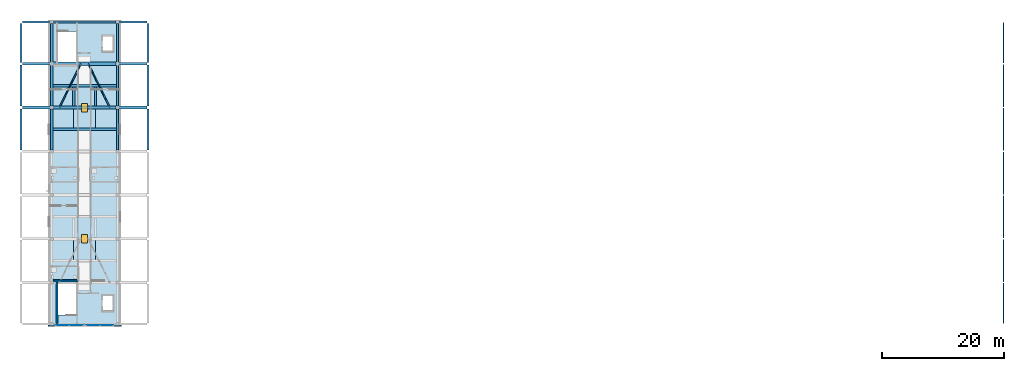
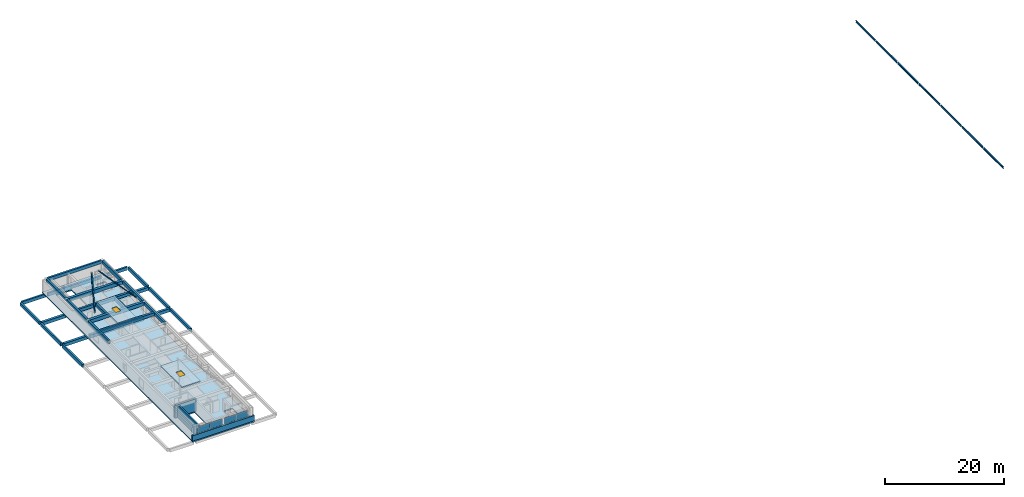
# One storey, part 3 of 9: 34 beams, 4 plates, 3 slabs, 3 walls, 2 doors, 2 members, 2 openings, 2 elements without a shape of their own.
"""IFC4 building model written with IfcOpenShell, lengths in metres."""

from ifc_helpers import new_model, si_unit, derived_unit, direction, frame, frame_2d, origin, origin_2d, place, context, subcontext, project, spatial, polyline, rectangle, hollow_rectangle, i_section, outline, extrude, material, layer, layer_set, material_profile, profile_set, type_object, element, fill, aggregate, save


model = new_model("IFC4")

# Units and contexts
model_context = context("Model", 3, precision=1e-05, world=origin(), true_north=direction((0.0, 1.0)))
body_context = subcontext(model_context, "Body", "Model", "MODEL_VIEW")
ifc_project = project(units=[si_unit("LENGTHUNIT", "METRE"), si_unit("AREAUNIT", "SQUARE_METRE"), si_unit("VOLUMEUNIT", "CUBIC_METRE"), si_unit("PLANEANGLEUNIT", "RADIAN"), si_unit("MASSUNIT", "GRAM", prefix="KILO"), derived_unit("THERMALTRANSMITTANCEUNIT", [(si_unit("MASSUNIT", "GRAM", prefix="KILO"), 1), (si_unit("TIMEUNIT", "SECOND"), -3), (si_unit("THERMODYNAMICTEMPERATUREUNIT", "KELVIN"), -1)])], contexts=[model_context])

# Site, building, storey
site_placement = place(None, origin())
site = spatial("IfcSite", under=ifc_project, at=site_placement, CompositionType="ELEMENT")
building_placement = place(site_placement, origin())
building = spatial("IfcBuilding", under=site, at=building_placement, Name="Ochrekiln Boulevard Commons", CompositionType="ELEMENT")
storey_placement = place(building_placement, frame((0.0, 0.0, 46.72509765625)))
storey = spatial("IfcBuildingStorey", under=building, at=storey_placement, Name="L14", CompositionType="ELEMENT", Elevation=46.72509765625)

# Beams
ifc_material_1 = material(Name="Concrete C35/45", Category="concrete")
ifc_material_profile_1 = material_profile(ifc_material_1, rectangle(XDim=0.39990234375, YDim=0.60009765625, at=origin_2d()), Name="RC-BM-400x600")
ifc_profile_set_1 = profile_set([ifc_material_profile_1], Name="Concrete C35/45")
beam_type_1 = type_object("IfcBeamType", Name="BM-RC-400x600", PredefinedType="BEAM", material=ifc_profile_set_1)
for number, where, z_axis, x_axis, name in (
    (1, (5.574951171875, 100.800048828125, 2.5498046875), (1.0, 0.0, 0.0), (0.0, 1.0, 0.0), "Block A L14 Attic Platform Transverse Beam B-4060 (2.1)"),
    (2, (5.574951171875, 108.0, 2.5498046875), (1.0, 0.0, 0.0), (0.0, 1.0, 0.0), "Block A L14 Attic Platform Transverse Beam B-4060 (2.2)"),
):
    element("IfcBeam", number, at=place(storey_placement, frame(where, z_axis=z_axis, x_axis=x_axis)), inside=storey, type_object=beam_type_1, Name=name, PredefinedType="BEAM", context=body_context, shape_type="SweptSolid", body=[
        extrude(rectangle(XDim=0.39990234375, YDim=0.60009765625, at=origin_2d()), origin(), (0.0, 0.0, 1.0), 10.449951171875),
    ])
for number, where, z_axis, x_axis, name in (
    (3, (9.0, 104.64990234375, 2.5498046875), (0.0, 1.0, 0.0), (-1.0, 0.0, 0.0), "Block A L14 Attic Platform Trimmer Beam B-4060 (2.W)"),
    (4, (12.60009765625, 104.64990234375, 2.5498046875), (0.0, 1.0, 0.0), (-1.0, 0.0, 0.0), "Block A L14 Attic Platform Trimmer Beam B-4060 (2.E)"),
):
    element("IfcBeam", number, at=place(storey_placement, frame(where, z_axis=z_axis, x_axis=x_axis)), inside=storey, type_object=beam_type_1, Name=name, PredefinedType="BEAM", context=body_context, shape_type="SweptSolid", body=[
        extrude(rectangle(XDim=0.39990234375, YDim=0.60009765625, at=origin_2d()), origin(), (0.0, 0.0, 1.0), 3.150146484375),
    ])
ifc_material_profile_2 = material_profile(ifc_material_1, rectangle(XDim=0.449951171875, YDim=0.64990234375, at=origin_2d()), Name="RC-BM-450x650")
ifc_profile_set_2 = profile_set([ifc_material_profile_2], Name="Concrete C35/45")
beam_type_2 = type_object("IfcBeamType", Name="BM-RC-450x650", PredefinedType="BEAM", material=ifc_profile_set_2)
beam_1_placement = place(storey_placement, frame((0.56005859375, 104.39990234375, -0.5751953125), z_axis=(1.0, 0.0, 0.0), x_axis=(0.0, 1.0, 0.0)))
element("IfcBeam", 5, at=beam_1_placement, inside=storey, type_object=beam_type_2, Name="Block A L14 Beam B-4565 X15", PredefinedType="BEAM", context=body_context, shape_type="SweptSolid", body=[
    extrude(rectangle(XDim=0.449951171875, YDim=0.64990234375, at=origin_2d()), origin(), (0.0, 0.0, 1.0), 4.6298828125),
])
beam_2_placement = place(storey_placement, frame((16.409912109375, 104.39990234375, -0.5751953125), z_axis=(1.0, 0.0, 0.0), x_axis=(0.0, 1.0, 0.0)))
element("IfcBeam", 6, at=beam_2_placement, inside=storey, type_object=beam_type_2, Name="Block A L14 Beam B-4565 X17", PredefinedType="BEAM", context=body_context, shape_type="SweptSolid", body=[
    extrude(rectangle(XDim=0.449951171875, YDim=0.64990234375, at=origin_2d()), origin(), (0.0, 0.0, 1.0), 4.630126953125),
])
beam_3_placement = place(storey_placement, frame((0.56005859375, 111.60009765625, -0.5751953125), z_axis=(1.0, 0.0, 0.0), x_axis=(0.0, 1.0, 0.0)))
element("IfcBeam", 7, at=beam_3_placement, inside=storey, type_object=beam_type_2, Name="Block A L14 Beam B-4565 X18", PredefinedType="BEAM", context=body_context, shape_type="SweptSolid", body=[
    extrude(rectangle(XDim=0.449951171875, YDim=0.64990234375, at=origin_2d()), origin(), (0.0, 0.0, 1.0), 4.6298828125),
])
beam_4_placement = place(storey_placement, frame((16.409912109375, 111.60009765625, -0.5751953125), z_axis=(1.0, 0.0, 0.0), x_axis=(0.0, 1.0, 0.0)))
element("IfcBeam", 8, at=beam_4_placement, inside=storey, type_object=beam_type_2, Name="Block A L14 Beam B-4565 X19", PredefinedType="BEAM", context=body_context, shape_type="SweptSolid", body=[
    extrude(rectangle(XDim=0.449951171875, YDim=0.64990234375, at=origin_2d()), origin(), (0.0, 0.0, 1.0), 4.630126953125),
])
ifc_material_2 = material(Name="Concrete C40/50", Category="concrete")
ifc_material_profile_3 = material_profile(ifc_material_2, rectangle(XDim=0.5, YDim=0.699951171875, at=origin_2d()), Name="RC-BM-500x700")
ifc_profile_set_3 = profile_set([ifc_material_profile_3], Name="Concrete C40/50")
beam_type_3 = type_object("IfcBeamType", Name="BM-RC-500x700", PredefinedType="BEAM", material=ifc_profile_set_3)
for number, where, z_axis, x_axis, name in (
    (9, (5.610107421875, 104.39990234375, -0.60009765625), (1.0, 0.0, 0.0), (0.0, 1.0, 0.0), "Block A L14 Beam B-5070 X16"),
    (10, (5.610107421875, 104.39990234375, 2.5), (1.0, 0.0, 0.0), (0.0, 1.0, 0.0), "Block A L14 Beam B-5070 X6"),
    (11, (5.610107421875, 111.60009765625, 2.5), (1.0, 0.0, 0.0), (0.0, 1.0, 0.0), "Block A L14 Beam B-5070 X7"),
):
    element("IfcBeam", number, at=place(storey_placement, frame(where, z_axis=z_axis, x_axis=x_axis)), inside=storey, type_object=beam_type_3, Name=name, PredefinedType="BEAM", context=body_context, shape_type="SweptSolid", body=[
        extrude(rectangle(XDim=0.5, YDim=0.699951171875, at=origin_2d()), origin(), (0.0, 0.0, 1.0), 10.3798828125),
    ])
ifc_material_3 = material(Name="Steel A992 Grade 50", Category="steel")
ifc_material_profile_4 = material_profile(ifc_material_3, i_section(OverallWidth=0.177978515625, OverallDepth=0.403076171875, WebThickness=0.007568359375, FlangeThickness=0.010986328125, at=origin_2d()), Name="W16X36")
ifc_profile_set_4 = profile_set([ifc_material_profile_4], Name="Steel A992 Grade 50")
beam_type_4 = type_object("IfcBeamType", Name="BM-STL-W16X36", PredefinedType="BEAM", material=ifc_profile_set_4)
beam_5_placement = place(storey_placement, frame((162.0, 68.840087890625, 0.63427734375), z_axis=(0.0, 1.0, 0.0), x_axis=(-1.0, 0.0, 0.0)))
element("IfcBeam", 12, at=beam_5_placement, inside=storey, type_object=beam_type_4, Name="Block B Gable Ridge Beam 1", PredefinedType="BEAM", context=body_context, shape_type="SweptSolid", body=[
    extrude(i_section(OverallWidth=0.177978515625, OverallDepth=0.403076171875, WebThickness=0.007568359375, FlangeThickness=0.010986328125, at=origin_2d()), origin(), (0.0, 0.0, 1.0), 6.669921875),
])
for number, where, z_axis, x_axis, name in (
    (13, (162.0, 75.68994140625, 0.63427734375), (0.0, 1.0, 0.0), (-1.0, 0.0, 0.0), "Block B Gable Ridge Beam 2"),
    (14, (162.0, 82.889892578125, 0.63427734375), (0.0, 1.0, 0.0), (-1.0, 0.0, 0.0), "Block B Gable Ridge Beam 3"),
    (15, (162.0, 90.090087890625, 0.63427734375), (0.0, 1.0, 0.0), (-1.0, 0.0, 0.0), "Block B Gable Ridge Beam 4"),
    (16, (162.0, 97.2900390625, 0.63427734375), (0.0, 1.0, 0.0), (-1.0, 0.0, 0.0), "Block B Gable Ridge Beam 5"),
    (17, (162.0, 104.489990234375, 0.63427734375), (0.0, 1.0, 0.0), (-1.0, 0.0, 0.0), "Block B Gable Ridge Beam 6"),
):
    element("IfcBeam", number, at=place(storey_placement, frame(where, z_axis=z_axis, x_axis=x_axis)), inside=storey, type_object=beam_type_4, Name=name, PredefinedType="BEAM", context=body_context, shape_type="SweptSolid", body=[
        extrude(i_section(OverallWidth=0.177978515625, OverallDepth=0.403076171875, WebThickness=0.007568359375, FlangeThickness=0.010986328125, at=origin_2d()), origin(), (0.0, 0.0, 1.0), 7.02001953125),
    ])
beam_6_placement = place(storey_placement, frame((162.0, 111.68994140625, 0.63427734375), z_axis=(0.0, 1.0, 0.0), x_axis=(-1.0, 0.0, 0.0)))
element("IfcBeam", 18, at=beam_6_placement, inside=storey, type_object=beam_type_4, Name="Block B Gable Ridge Beam 7", PredefinedType="BEAM", context=body_context, shape_type="SweptSolid", body=[
    extrude(i_section(OverallWidth=0.177978515625, OverallDepth=0.403076171875, WebThickness=0.007568359375, FlangeThickness=0.010986328125, at=origin_2d()), origin(), (0.0, 0.0, 1.0), 6.670166015625),
])

# Members
ifc_material_4 = material(Name="Steel A500 Grade C", Category="steel")
ifc_material_profile_5 = material_profile(ifc_material_4, hollow_rectangle(XDim=0.14990234375, YDim=0.14990234375, WallThickness=0.009521484375, at=origin_2d()), Name="HSS150X150X9.5")
ifc_profile_set_5 = profile_set([ifc_material_profile_5], Name="Steel A500 Grade C")
member_type = type_object("IfcMemberType", Name="MEM-BRC-HSS150", PredefinedType="BRACE", material=ifc_profile_set_5)
for number, where, z_axis, x_axis, name in (
    (19, (6.696044921875, 104.489990234375, 3.856201171875), (0.41928190663, 0.85165526584, 0.314461429972), (-0.897168393426, 0.441688661659, 0.0), "Block A Roof Diagonal Brace 6W"),
    (20, (14.904052734375, 104.489990234375, 3.856201171875), (-0.41928190663, 0.85165526584, 0.314461429972), (-0.897168393426, -0.441688661659, 0.0), "Block A Roof Diagonal Brace 6E"),
):
    element("IfcMember", number, at=place(storey_placement, frame(where, z_axis=z_axis, x_axis=x_axis)), inside=storey, type_object=member_type, Name=name, PredefinedType="BRACE", context=body_context, shape_type="SweptSolid", body=[
        extrude(hollow_rectangle(XDim=0.14990234375, YDim=0.14990234375, WallThickness=0.009521484375, at=origin_2d()), origin(), (0.0, 0.0, 1.0), 8.24267578125),
    ])

# Beams
ifc_material_profile_6 = material_profile(ifc_material_2, rectangle(XDim=0.35009765625, YDim=0.64990234375, at=origin_2d()), Name="RC-SPN-350x650")
ifc_profile_set_6 = profile_set([ifc_material_profile_6], Name="Concrete C40/50")
beam_type_5 = type_object("IfcBeamType", Name="SPN-RC-350x650", PredefinedType="SPANDREL", material=ifc_profile_set_6)
beam_7_placement = place(storey_placement, frame((0.56005859375, 118.449951171875, -0.5751953125), z_axis=(1.0, 0.0, 0.0), x_axis=(0.0, 1.0, 0.0)))
element("IfcBeam", 21, at=beam_7_placement, inside=storey, type_object=beam_type_5, Name="Block A L14 Beam SP-3565 X20", PredefinedType="SPANDREL", context=body_context, shape_type="SweptSolid", body=[
    extrude(rectangle(XDim=0.35009765625, YDim=0.64990234375, at=origin_2d()), origin(), (0.0, 0.0, 1.0), 4.6298828125),
])
beam_8_placement = place(storey_placement, frame((5.610107421875, 118.449951171875, -0.5751953125), z_axis=(1.0, 0.0, 0.0), x_axis=(0.0, 1.0, 0.0)))
element("IfcBeam", 22, at=beam_8_placement, inside=storey, type_object=beam_type_5, Name="Block A L14 Beam SP-3565 X21", PredefinedType="SPANDREL", context=body_context, shape_type="SweptSolid", body=[
    extrude(rectangle(XDim=0.35009765625, YDim=0.64990234375, at=origin_2d()), origin(), (0.0, 0.0, 1.0), 10.3798828125),
])
beam_9_placement = place(storey_placement, frame((16.409912109375, 118.449951171875, -0.5751953125), z_axis=(1.0, 0.0, 0.0), x_axis=(0.0, 1.0, 0.0)))
element("IfcBeam", 23, at=beam_9_placement, inside=storey, type_object=beam_type_5, Name="Block A L14 Beam SP-3565 X22", PredefinedType="SPANDREL", context=body_context, shape_type="SweptSolid", body=[
    extrude(rectangle(XDim=0.35009765625, YDim=0.64990234375, at=origin_2d()), origin(), (0.0, 0.0, 1.0), 4.630126953125),
])
beam_10_placement = place(storey_placement, frame((0.35009765625, 97.409912109375, -0.5751953125), z_axis=(0.0, 1.0, 0.0), x_axis=(-1.0, 0.0, 0.0)))
element("IfcBeam", 24, at=beam_10_placement, inside=storey, type_object=beam_type_5, Name="Block A L14 Beam SP-3565 Y27", PredefinedType="SPANDREL", context=body_context, shape_type="SweptSolid", body=[
    extrude(rectangle(XDim=0.35009765625, YDim=0.64990234375, at=origin_2d()), origin(), (0.0, 0.0, 1.0), 6.780029296875),
])
beam_11_placement = place(storey_placement, frame((0.35009765625, 104.610107421875, -0.5751953125), z_axis=(0.0, 1.0, 0.0), x_axis=(-1.0, 0.0, 0.0)))
element("IfcBeam", 25, at=beam_11_placement, inside=storey, type_object=beam_type_5, Name="Block A L14 Beam SP-3565 Y28", PredefinedType="SPANDREL", context=body_context, shape_type="SweptSolid", body=[
    extrude(rectangle(XDim=0.35009765625, YDim=0.64990234375, at=origin_2d()), origin(), (0.0, 0.0, 1.0), 6.77978515625),
])
beam_12_placement = place(storey_placement, frame((0.35009765625, 111.81005859375, -0.5751953125), z_axis=(0.0, 1.0, 0.0), x_axis=(-1.0, 0.0, 0.0)))
element("IfcBeam", 26, at=beam_12_placement, inside=storey, type_object=beam_type_5, Name="Block A L14 Beam SP-3565 Y29", PredefinedType="SPANDREL", context=body_context, shape_type="SweptSolid", body=[
    extrude(rectangle(XDim=0.35009765625, YDim=0.64990234375, at=origin_2d()), origin(), (0.0, 0.0, 1.0), 6.429931640625),
])
beam_13_placement = place(storey_placement, frame((21.25, 97.409912109375, -0.5751953125), z_axis=(0.0, 1.0, 0.0), x_axis=(-1.0, 0.0, 0.0)))
element("IfcBeam", 27, at=beam_13_placement, inside=storey, type_object=beam_type_5, Name="Block A L14 Beam SP-3565 Y34", PredefinedType="SPANDREL", context=body_context, shape_type="SweptSolid", body=[
    extrude(rectangle(XDim=0.35009765625, YDim=0.64990234375, at=origin_2d()), origin(), (0.0, 0.0, 1.0), 6.780029296875),
])
beam_14_placement = place(storey_placement, frame((21.25, 104.610107421875, -0.5751953125), z_axis=(0.0, 1.0, 0.0), x_axis=(-1.0, 0.0, 0.0)))
element("IfcBeam", 28, at=beam_14_placement, inside=storey, type_object=beam_type_5, Name="Block A L14 Beam SP-3565 Y35", PredefinedType="SPANDREL", context=body_context, shape_type="SweptSolid", body=[
    extrude(rectangle(XDim=0.35009765625, YDim=0.64990234375, at=origin_2d()), origin(), (0.0, 0.0, 1.0), 6.77978515625),
])
beam_15_placement = place(storey_placement, frame((21.25, 111.81005859375, -0.5751953125), z_axis=(0.0, 1.0, 0.0), x_axis=(-1.0, 0.0, 0.0)))
element("IfcBeam", 29, at=beam_15_placement, inside=storey, type_object=beam_type_5, Name="Block A L14 Beam SP-3565 Y36", PredefinedType="SPANDREL", context=body_context, shape_type="SweptSolid", body=[
    extrude(rectangle(XDim=0.35009765625, YDim=0.64990234375, at=origin_2d()), origin(), (0.0, 0.0, 1.0), 6.429931640625),
])
beam_16_placement = place(storey_placement, frame((5.610107421875, 118.449951171875, 2.52490234375), z_axis=(1.0, 0.0, 0.0), x_axis=(0.0, 1.0, 0.0)))
element("IfcBeam", 30, at=beam_16_placement, inside=storey, type_object=beam_type_5, Name="Block A L14 Beam SP-3565 X8", PredefinedType="SPANDREL", context=body_context, shape_type="SweptSolid", body=[
    extrude(rectangle(XDim=0.35009765625, YDim=0.64990234375, at=origin_2d()), origin(), (0.0, 0.0, 1.0), 10.3798828125),
])
beam_17_placement = place(storey_placement, frame((5.39990234375, 97.409912109375, 2.52490234375), z_axis=(0.0, 1.0, 0.0), x_axis=(-1.0, 0.0, 0.0)))
element("IfcBeam", 31, at=beam_17_placement, inside=storey, type_object=beam_type_5, Name="Block A L14 Beam SP-3565 Y13", PredefinedType="SPANDREL", context=body_context, shape_type="SweptSolid", body=[
    extrude(rectangle(XDim=0.35009765625, YDim=0.64990234375, at=origin_2d()), origin(), (0.0, 0.0, 1.0), 6.780029296875),
])
beam_18_placement = place(storey_placement, frame((5.39990234375, 104.610107421875, 2.52490234375), z_axis=(0.0, 1.0, 0.0), x_axis=(-1.0, 0.0, 0.0)))
element("IfcBeam", 32, at=beam_18_placement, inside=storey, type_object=beam_type_5, Name="Block A L14 Beam SP-3565 Y14", PredefinedType="SPANDREL", context=body_context, shape_type="SweptSolid", body=[
    extrude(rectangle(XDim=0.35009765625, YDim=0.64990234375, at=origin_2d()), origin(), (0.0, 0.0, 1.0), 6.77978515625),
])
beam_19_placement = place(storey_placement, frame((5.39990234375, 111.81005859375, 2.52490234375), z_axis=(0.0, 1.0, 0.0), x_axis=(-1.0, 0.0, 0.0)))
element("IfcBeam", 33, at=beam_19_placement, inside=storey, type_object=beam_type_5, Name="Block A L14 Beam SP-3565 Y15", PredefinedType="SPANDREL", context=body_context, shape_type="SweptSolid", body=[
    extrude(rectangle(XDim=0.35009765625, YDim=0.64990234375, at=origin_2d()), origin(), (0.0, 0.0, 1.0), 6.429931640625),
])
beam_20_placement = place(storey_placement, frame((16.199951171875, 97.409912109375, 2.52490234375), z_axis=(0.0, 1.0, 0.0), x_axis=(-1.0, 0.0, 0.0)))
element("IfcBeam", 34, at=beam_20_placement, inside=storey, type_object=beam_type_5, Name="Block A L14 Beam SP-3565 Y20", PredefinedType="SPANDREL", context=body_context, shape_type="SweptSolid", body=[
    extrude(rectangle(XDim=0.35009765625, YDim=0.64990234375, at=origin_2d()), origin(), (0.0, 0.0, 1.0), 6.780029296875),
])
beam_21_placement = place(storey_placement, frame((16.199951171875, 104.610107421875, 2.52490234375), z_axis=(0.0, 1.0, 0.0), x_axis=(-1.0, 0.0, 0.0)))
element("IfcBeam", 35, at=beam_21_placement, inside=storey, type_object=beam_type_5, Name="Block A L14 Beam SP-3565 Y21", PredefinedType="SPANDREL", context=body_context, shape_type="SweptSolid", body=[
    extrude(rectangle(XDim=0.35009765625, YDim=0.64990234375, at=origin_2d()), origin(), (0.0, 0.0, 1.0), 6.77978515625),
])
beam_22_placement = place(storey_placement, frame((16.199951171875, 111.81005859375, 2.52490234375), z_axis=(0.0, 1.0, 0.0), x_axis=(-1.0, 0.0, 0.0)))
element("IfcBeam", 36, at=beam_22_placement, inside=storey, type_object=beam_type_5, Name="Block A L14 Beam SP-3565 Y22", PredefinedType="SPANDREL", context=body_context, shape_type="SweptSolid", body=[
    extrude(rectangle(XDim=0.35009765625, YDim=0.64990234375, at=origin_2d()), origin(), (0.0, 0.0, 1.0), 6.429931640625),
])

# Curtain wall, plates
ifc_material_5 = material(Name="Bronze-anodized extruded aluminium 6063-T6", Category="aluminium")
ifc_layer_1 = layer(ifc_material_5, 0.172119140625)
ifc_layer_set_1 = layer_set([ifc_layer_1], Name="Bronze-anodized extruded aluminium 6063-T6")
curtain_wall_type = type_object("IfcCurtainWallType", Name="CW-GABLE-A", PredefinedType="USERDEFINED", material=ifc_layer_set_1)
curtain_wall_1_placement = place(storey_placement, origin())
curtain_wall_1 = element("IfcCurtainWall", 37, at=curtain_wall_1_placement, inside=storey, type_object=curtain_wall_type, Name="Block A L14 Courtyard Glazed Gable Curtain Wall 1", ObjectType="GLAZED CURTAIN WALL", PredefinedType="USERDEFINED")
ifc_material_6 = material(Name="Spectrally selective low-E insulated glazing", Category="glass")
ifc_layer_2 = layer(ifc_material_6, 0.030029296875)
ifc_layer_set_2 = layer_set([ifc_layer_2], Name="Spectrally selective low-E insulated glazing")
plate_type_1 = type_object("IfcPlateType", Name="CWP-GLZ-2", PredefinedType="CURTAIN_PANEL", material=ifc_layer_set_2)
plate_1_placement = place(storey_placement, frame((7.179931640625, 68.56005859375, 1.169921875), z_axis=(0.0, 0.0, 1.0), x_axis=(1.0, 0.0, 0.0)))
plate_1 = element("IfcPlate", 38, at=plate_1_placement, type_object=plate_type_1, Name="CW-01 panel 1.1", PredefinedType="CURTAIN_PANEL", context=body_context, shape_type="SweptSolid", body=[
    extrude(rectangle(XDim=2.199951171875, YDim=0.030029296875, at=origin_2d()), origin(), (0.0, 0.0, 1.0), 1.320068359375),
])
plate_2_placement = place(storey_placement, frame((9.43994140625, 68.56005859375, 1.169921875), z_axis=(0.0, 0.0, 1.0), x_axis=(1.0, 0.0, 0.0)))
plate_2 = element("IfcPlate", 39, at=plate_2_placement, type_object=plate_type_1, Name="CW-01 panel 2.1", PredefinedType="CURTAIN_PANEL", context=body_context, shape_type="SweptSolid", body=[
    extrude(rectangle(XDim=2.199951171875, YDim=0.030029296875, at=origin_2d()), origin(), (0.0, 0.0, 1.0), 1.320068359375),
])
aggregate(curtain_wall_1, [plate_1, plate_2])

curtain_wall_2_placement = place(storey_placement, origin())
curtain_wall_2 = element("IfcCurtainWall", 40, at=curtain_wall_2_placement, inside=storey, type_object=curtain_wall_type, Name="Block A L14 Courtyard Glazed Gable Curtain Wall 2", ObjectType="GLAZED CURTAIN WALL", PredefinedType="USERDEFINED")
ifc_layer_3 = layer(ifc_material_6, 0.035888671875)
ifc_layer_set_3 = layer_set([ifc_layer_3], Name="Spectrally selective low-E insulated glazing")
plate_type_2 = type_object("IfcPlateType", Name="CWP-GLZ-3", PredefinedType="CURTAIN_PANEL", material=ifc_layer_set_3)
plate_3_placement = place(storey_placement, frame((12.1611328125, 68.56005859375, 1.1748046875), z_axis=(0.0, 0.0, 1.0), x_axis=(1.0, 0.0, 0.0)))
plate_3 = element("IfcPlate", 41, at=plate_3_placement, type_object=plate_type_2, Name="CW-01 panel 1.1", PredefinedType="CURTAIN_PANEL", context=body_context, shape_type="SweptSolid", body=[
    extrude(rectangle(XDim=2.1923828125, YDim=0.035888671875, at=origin_2d()), origin(), (0.0, 0.0, 1.0), 1.31005859375),
])
plate_4_placement = place(storey_placement, frame((14.418701171875, 68.56005859375, 1.1748046875), z_axis=(0.0, 0.0, 1.0), x_axis=(1.0, 0.0, 0.0)))
plate_4 = element("IfcPlate", 42, at=plate_4_placement, type_object=plate_type_2, Name="CW-01 panel 2.1", PredefinedType="CURTAIN_PANEL", context=body_context, shape_type="SweptSolid", body=[
    extrude(rectangle(XDim=2.1923828125, YDim=0.035888671875, at=origin_2d()), origin(), (0.0, 0.0, 1.0), 1.31005859375),
])
aggregate(curtain_wall_2, [plate_3, plate_4])

# Slab
ifc_layer_4 = layer(ifc_material_1, 0.25)
ifc_layer_set_4 = layer_set([ifc_layer_4], Name="Concrete C35/45")
slab_type_1 = type_object("IfcSlabType", Name="SLB-LOFT-250", PredefinedType="FLOOR", material=ifc_layer_set_4)
slab_1_placement = place(storey_placement, frame((0.0, 0.0, -0.25)))
element("IfcSlab", 43, at=slab_1_placement, inside=storey, type_object=slab_type_1, Name="Block A L14 Reinforced Concrete Floor Slab", PredefinedType="FLOOR", context=body_context, shape_type="SweptSolid", body=[
    extrude(outline(polyline([(4.800048828125, 68.39990234375), (16.800048828125, 68.39990234375), (16.800048828125, 118.800048828125), (4.800048828125, 118.800048828125), (4.800048828125, 68.39990234375)]), holes=[polyline([(9.39990234375, 70.2705078125), (9.39990234375, 75.719970703125), (6.39990234375, 75.719970703125), (6.39990234375, 70.2705078125), (9.39990234375, 70.2705078125)]), polyline([(6.39990234375, 116.929443359375), (6.39990234375, 111.47998046875), (9.39990234375, 111.47998046875), (9.39990234375, 116.929443359375), (6.39990234375, 116.929443359375)]), polyline([(13.75, 70.949951171875), (15.449951171875, 70.949951171875), (15.449951171875, 73.449951171875), (13.75, 73.449951171875), (13.75, 70.949951171875)]), polyline([(13.75, 113.64990234375), (15.449951171875, 113.64990234375), (15.449951171875, 116.14990234375), (13.75, 116.14990234375), (13.75, 113.64990234375)])]), origin(), (0.0, 0.0, 1.0), 0.25),
])

# Slab, opening, door
ifc_layer_5 = layer(ifc_material_1, 0.239990234375)
ifc_layer_set_5 = layer_set([ifc_layer_5], Name="Concrete C35/45")
slab_type_2 = type_object("IfcSlabType", Name="SLB-TERR-240", PredefinedType="ROOF", material=ifc_layer_set_5)
slab_2_placement = place(storey_placement, frame((0.0, 0.0, 2.849853515625)))
slab_2 = element("IfcSlab", 44, at=slab_2_placement, inside=storey, type_object=slab_type_2, Name="Block A L14 Attic Platform Deck Slab 1", PredefinedType="ROOF", context=body_context, shape_type="SweptSolid", body=[
    extrude(outline(polyline([(9.0, 79.199951171875), (12.60009765625, 79.199951171875), (12.60009765625, 86.39990234375), (9.0, 86.39990234375), (9.0, 79.199951171875)])), origin(), (0.0, 0.0, 1.0), 0.239990234375),
])
opening_1_placement = place(slab_2_placement, frame((10.800048828125, 82.800048828125, 0.0)))
opening_1 = element("IfcOpeningElement", 45, at=opening_1_placement, cuts=slab_2, Name="Opening RH-01", PredefinedType="OPENING", context=body_context, shape_type="SweptSolid", body=[
    extrude(rectangle(XDim=1.0, YDim=1.39990234375, at=origin_2d()), frame((0.0, 0.0, -0.010009765625)), (0.0, 0.0, 1.0), 0.260009765625),
])
door_type = type_object("IfcDoorType", Name="DR-ROOF-HATCH", OperationType="SINGLE_SWING_LEFT", PredefinedType="TRAPDOOR", material=ifc_material_5)
door_1_placement = place(opening_1_placement, frame((0.0, 0.0, 0.094970703125)))
door_1 = element("IfcDoor", 46, at=door_1_placement, inside=storey, type_object=door_type, Name="Block A Roof Maintenance Access Hatch 1", OperationType="SINGLE_SWING_LEFT", OverallHeight=1.39990234375, OverallWidth=1.0, PredefinedType="TRAPDOOR", context=body_context, shape_type="SweptSolid", body=[
    extrude(rectangle(XDim=1.0, YDim=1.39990234375, at=origin_2d()), origin(), (0.0, 0.0, 1.0), 0.050048828125),
])
fill(opening_1, door_1)

slab_3_placement = place(storey_placement, frame((0.0, 0.0, 2.849853515625)))
slab_3 = element("IfcSlab", 47, at=slab_3_placement, inside=storey, type_object=slab_type_2, Name="Block A L14 Attic Platform Deck Slab 2", PredefinedType="ROOF", context=body_context, shape_type="SweptSolid", body=[
    extrude(outline(polyline([(9.0, 100.800048828125), (12.60009765625, 100.800048828125), (12.60009765625, 108.0), (9.0, 108.0), (9.0, 100.800048828125)])), origin(), (0.0, 0.0, 1.0), 0.239990234375),
])
opening_2_placement = place(slab_3_placement, frame((10.800048828125, 104.39990234375, 0.0)))
opening_2 = element("IfcOpeningElement", 48, at=opening_2_placement, cuts=slab_3, Name="Opening RH-02", PredefinedType="OPENING", context=body_context, shape_type="SweptSolid", body=[
    extrude(rectangle(XDim=1.0, YDim=1.39990234375, at=origin_2d()), frame((0.0, 0.0, -0.010009765625)), (0.0, 0.0, 1.0), 0.260009765625),
])
door_2_placement = place(opening_2_placement, frame((0.0, 0.0, 0.094970703125)))
door_2 = element("IfcDoor", 49, at=door_2_placement, inside=storey, type_object=door_type, Name="Block A Roof Maintenance Access Hatch 2", OperationType="SINGLE_SWING_LEFT", OverallHeight=1.39990234375, OverallWidth=1.0, PredefinedType="TRAPDOOR", context=body_context, shape_type="SweptSolid", body=[
    extrude(rectangle(XDim=1.0, YDim=1.39990234375, at=origin_2d()), origin(), (0.0, 0.0, 1.0), 0.050048828125),
])
fill(opening_2, door_2)

# Walls
ifc_material_7 = material(Name="Desert ochre clinker brick masonry ASTM C216 Grade SW", Category="masonry")
ifc_layer_6 = layer(ifc_material_7, 0.320068359375)
ifc_layer_set_6 = layer_set([ifc_layer_6], Name="Desert ochre clinker brick masonry ASTM C216 Grade SW")
wall_type_1 = type_object("IfcWallType", Name="WL-EXT-OCHRE-320", PredefinedType="SOLIDWALL", material=ifc_layer_set_6)
wall_1_placement = place(storey_placement, frame((4.800048828125, 68.56005859375, 0.0), z_axis=(0.0, 0.0, 1.0), x_axis=(1.0, 0.0, 0.0)))
element("IfcWall", 50, at=wall_1_placement, inside=storey, type_object=wall_type_1, Name="Block A L14 Courtyard Gable Sill Wall", PredefinedType="SOLIDWALL", context=body_context, shape_type="SweptSolid", body=[
    extrude(rectangle(XDim=12.0, YDim=0.320068359375, at=frame_2d((6.0, 0.0))), origin(), (0.0, 0.0, 1.0), 1.10986328125),
])
ifc_layer_7 = layer(ifc_material_2, 0.300048828125)
ifc_layer_set_7 = layer_set([ifc_layer_7], Name="Concrete C40/50")
wall_type_2 = type_object("IfcWallType", Name="WL-SH-300", PredefinedType="SHEAR", material=ifc_layer_set_7)
wall_2_placement = place(storey_placement, frame((5.64990234375, 75.8701171875, 0.0), z_axis=(0.0, 0.0, 1.0), x_axis=(1.0, 0.0, 0.0)))
element("IfcWall", 51, at=wall_2_placement, inside=storey, type_object=wall_type_2, Name="Stair ST-A1 L14 Core Shear Wall N", PredefinedType="SHEAR", context=body_context, shape_type="SweptSolid", body=[
    extrude(rectangle(XDim=4.050048828125, YDim=0.300048828125, at=frame_2d((2.02490234375, 0.0))), origin(), (0.0, 0.0, 1.0), 2.5498046875),
])
wall_3_placement = place(storey_placement, frame((6.25, 68.719970703125, 0.0), z_axis=(0.0, 0.0, 1.0), x_axis=(0.0, 1.0, 0.0)))
element("IfcWall", 52, at=wall_3_placement, inside=storey, type_object=wall_type_2, Name="Stair ST-A1 L14 Core Shear Wall W", PredefinedType="SHEAR", context=body_context, shape_type="SweptSolid", body=[
    extrude(rectangle(XDim=7.0, YDim=0.300048828125, at=frame_2d((3.5, 0.0))), origin(), (0.0, 0.0, 1.0), 2.5498046875),
])

save(model, "model.ifc")
